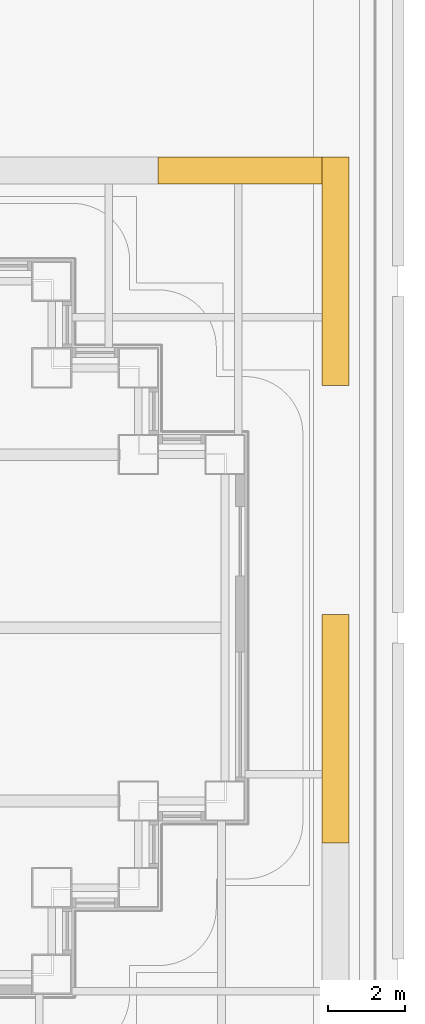
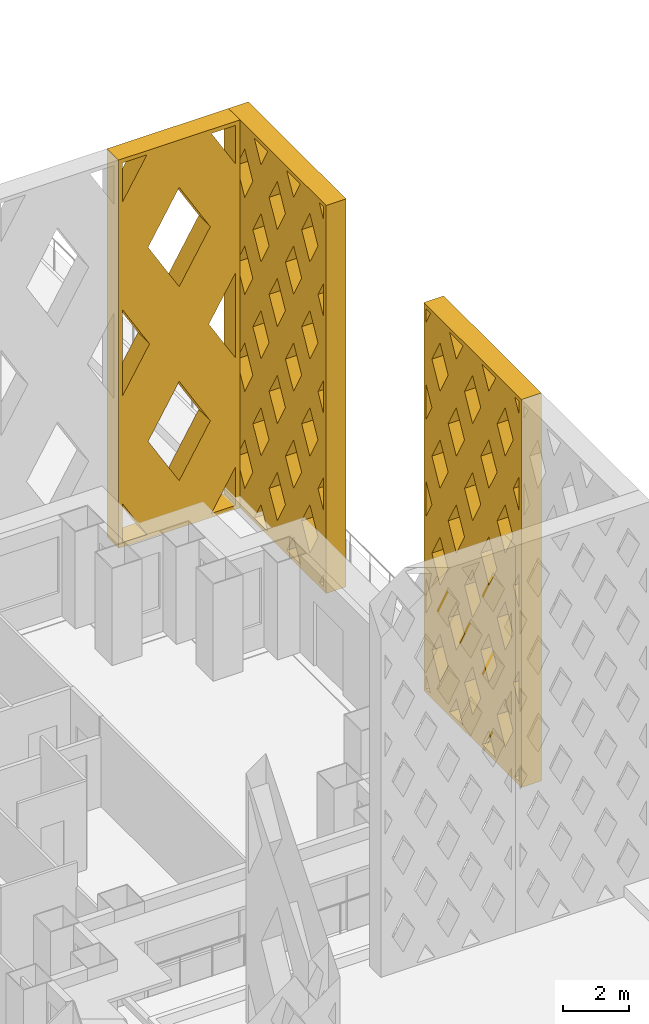
# One storey, part 26 of 26: 3 shading devices.
"""IFC4 building model written with IfcOpenShell, lengths in metres."""

from ifc_helpers import new_model, si_unit, direction, frame, origin, place, context, subcontext, project, spatial, polyline, outline, extrude, material, type_object, element, save


model = new_model("IFC4")

# Units and contexts
model_context = context("Model", 3, precision=1e-05, world=origin(), true_north=direction((0.0, 1.0)))
body_context = subcontext(model_context, "Body", "Model", "MODEL_VIEW")
ifc_project = project(units=[si_unit("LENGTHUNIT", "METRE"), si_unit("AREAUNIT", "SQUARE_METRE"), si_unit("VOLUMEUNIT", "CUBIC_METRE"), si_unit("PLANEANGLEUNIT", "RADIAN"), si_unit("MASSUNIT", "GRAM", prefix="KILO")], contexts=[model_context])

# Site, building, storey
site_placement = place(None, origin())
site = spatial("IfcSite", under=ifc_project, at=site_placement, CompositionType="ELEMENT")
building_placement = place(site_placement, origin())
building = spatial("IfcBuilding", under=site, at=building_placement, Name="Caravel Reach Hotel and Residences", CompositionType="ELEMENT")
storey_placement = place(building_placement, frame((0.0, 0.0, 33.60009765625)))
storey = spatial("IfcBuildingStorey", under=building, at=storey_placement, Name="L06", CompositionType="ELEMENT", Elevation=33.60009765625)

# Shading devices
ifc_material_1 = material(Name="Black powder-coated aluminium", Category="aluminium")
shading_device_type_1 = type_object("IfcShadingDeviceType", Name="Diamond lattice screen panel 4267 x 14400", PredefinedType="USERDEFINED", material=ifc_material_1)
shading_device_1_placement = place(storey_placement, frame((65.52490234375, 38.52490234375, 0.0), z_axis=(0.0, 1.0, 0.0), x_axis=(-1.0, 0.0, 0.0)))
element("IfcShadingDevice", 1, at=shading_device_1_placement, inside=storey, type_object=shading_device_type_1, Name="Lattice screen L06-L09 8.1", ObjectType="SCREEN", PredefinedType="USERDEFINED", context=body_context, shape_type="SweptSolid", body=[
    extrude(outline(polyline([(0.0, 0.0), (4.2666015625, 0.0), (4.2666015625, 14.39990234375), (0.0, 14.39990234375), (0.0, 0.0)]), holes=[polyline([(1.003662109375, 0.14990234375), (0.14990234375, 1.590576171875), (0.14990234375, 0.14990234375), (1.003662109375, 0.14990234375)]), polyline([(1.092529296875, 7.199951171875), (0.14990234375, 8.790771484375), (0.14990234375, 5.609375), (1.092529296875, 7.199951171875)]), polyline([(0.14990234375, 12.809326171875), (1.003662109375, 14.25), (0.14990234375, 14.25), (0.14990234375, 12.809326171875)]), polyline([(2.13330078125, 5.44384765625), (1.040771484375, 3.60009765625), (2.13330078125, 1.756103515625), (3.225830078125, 3.60009765625), (2.13330078125, 5.44384765625)]), polyline([(2.13330078125, 12.643798828125), (1.040771484375, 10.800048828125), (2.13330078125, 8.956298828125), (3.225830078125, 10.800048828125), (2.13330078125, 12.643798828125)]), polyline([(4.11669921875, 1.590576171875), (3.262939453125, 0.14990234375), (4.11669921875, 0.14990234375), (4.11669921875, 1.590576171875)]), polyline([(3.174072265625, 7.199951171875), (4.11669921875, 5.609375), (4.11669921875, 8.790771484375), (3.174072265625, 7.199951171875)]), polyline([(3.262939453125, 14.25), (4.11669921875, 12.809326171875), (4.11669921875, 14.25), (3.262939453125, 14.25)])]), origin(), (0.0, 0.0, 1.0), 0.7001953125),
])
ifc_material_2 = material(Name="Black powder-coated aluminium", Category="aluminium")
shading_device_type_2 = type_object("IfcShadingDeviceType", Name="Diamond lattice screen panel 5937 x 14400", PredefinedType="USERDEFINED", material=ifc_material_2)
shading_device_2_placement = place(storey_placement, frame((65.52490234375, 21.41259765625, 0.0), z_axis=(1.0, 0.0, 0.0), x_axis=(0.0, 1.0, 0.0)))
element("IfcShadingDevice", 2, at=shading_device_2_placement, inside=storey, type_object=shading_device_type_2, Name="Lattice screen L06-L09 7.2", ObjectType="SCREEN", PredefinedType="USERDEFINED", context=body_context, shape_type="SweptSolid", body=[
    extrude(outline(polyline([(0.0, 0.0), (5.9375, 0.0), (5.9375, 14.39990234375), (0.0, 14.39990234375), (0.0, 0.0)]), holes=[polyline([(0.412353515625, 0.14990234375), (0.14990234375, 0.626953125), (0.14990234375, 0.14990234375), (0.412353515625, 0.14990234375)]), polyline([(0.49462890625, 3.60009765625), (0.14990234375, 4.22705078125), (0.14990234375, 2.972900390625), (0.49462890625, 3.60009765625)]), polyline([(0.49462890625, 7.199951171875), (0.14990234375, 7.826904296875), (0.14990234375, 6.572998046875), (0.49462890625, 7.199951171875)]), polyline([(0.49462890625, 10.800048828125), (0.14990234375, 11.427001953125), (0.14990234375, 10.173095703125), (0.49462890625, 10.800048828125)]), polyline([(0.14990234375, 13.77294921875), (0.412353515625, 14.25), (0.14990234375, 14.25), (0.14990234375, 13.77294921875)]), polyline([(0.989501953125, 2.699951171875), (0.494873046875, 1.800048828125), (0.989501953125, 0.900146484375), (1.484375, 1.800048828125), (0.989501953125, 2.699951171875)]), polyline([(0.989501953125, 6.2998046875), (0.494873046875, 5.39990234375), (0.989501953125, 4.500244140625), (1.484375, 5.39990234375), (0.989501953125, 6.2998046875)]), polyline([(0.989501953125, 9.89990234375), (0.494873046875, 9.0), (0.989501953125, 8.10009765625), (1.484375, 9.0), (0.989501953125, 9.89990234375)]), polyline([(0.989501953125, 13.499755859375), (0.494873046875, 12.60009765625), (0.989501953125, 11.7001953125), (1.484375, 12.60009765625), (0.989501953125, 13.499755859375)]), polyline([(1.979248046875, 0.89990234375), (1.56689453125, 0.14990234375), (2.391357421875, 0.14990234375), (1.979248046875, 0.89990234375)]), polyline([(1.979248046875, 4.499755859375), (1.484375, 3.60009765625), (1.979248046875, 2.7001953125), (2.473876953125, 3.60009765625), (1.979248046875, 4.499755859375)]), polyline([(1.979248046875, 8.099853515625), (1.484375, 7.199951171875), (1.979248046875, 6.300048828125), (2.473876953125, 7.199951171875), (1.979248046875, 8.099853515625)]), polyline([(1.979248046875, 11.699951171875), (1.484375, 10.800048828125), (1.979248046875, 9.900146484375), (2.473876953125, 10.800048828125), (1.979248046875, 11.699951171875)]), polyline([(1.979248046875, 13.500244140625), (2.391357421875, 14.25), (1.56689453125, 14.25), (1.979248046875, 13.500244140625)]), polyline([(2.96875, 2.699951171875), (2.47412109375, 1.800048828125), (2.96875, 0.900146484375), (3.46337890625, 1.800048828125), (2.96875, 2.699951171875)]), polyline([(2.96875, 6.2998046875), (2.47412109375, 5.39990234375), (2.96875, 4.500244140625), (3.46337890625, 5.39990234375), (2.96875, 6.2998046875)]), polyline([(2.96875, 9.89990234375), (2.47412109375, 9.0), (2.96875, 8.10009765625), (3.46337890625, 9.0), (2.96875, 9.89990234375)]), polyline([(2.96875, 13.499755859375), (2.47412109375, 12.60009765625), (2.96875, 11.7001953125), (3.46337890625, 12.60009765625), (2.96875, 13.499755859375)]), polyline([(3.958251953125, 0.89990234375), (3.546142578125, 0.14990234375), (4.37060546875, 0.14990234375), (3.958251953125, 0.89990234375)]), polyline([(3.958251953125, 4.499755859375), (3.463623046875, 3.60009765625), (3.958251953125, 2.7001953125), (4.453125, 3.60009765625), (3.958251953125, 4.499755859375)]), polyline([(3.958251953125, 8.099853515625), (3.463623046875, 7.199951171875), (3.958251953125, 6.300048828125), (4.453125, 7.199951171875), (3.958251953125, 8.099853515625)]), polyline([(3.958251953125, 11.699951171875), (3.463623046875, 10.800048828125), (3.958251953125, 9.900146484375), (4.453125, 10.800048828125), (3.958251953125, 11.699951171875)]), polyline([(3.958251953125, 13.500244140625), (4.37060546875, 14.25), (3.546142578125, 14.25), (3.958251953125, 13.500244140625)]), polyline([(4.947998046875, 2.699951171875), (4.453125, 1.800048828125), (4.947998046875, 0.900146484375), (5.442626953125, 1.800048828125), (4.947998046875, 2.699951171875)]), polyline([(4.947998046875, 6.2998046875), (4.453125, 5.39990234375), (4.947998046875, 4.500244140625), (5.442626953125, 5.39990234375), (4.947998046875, 6.2998046875)]), polyline([(4.947998046875, 9.89990234375), (4.453125, 9.0), (4.947998046875, 8.10009765625), (5.442626953125, 9.0), (4.947998046875, 9.89990234375)]), polyline([(4.947998046875, 13.499755859375), (4.453125, 12.60009765625), (4.947998046875, 11.7001953125), (5.442626953125, 12.60009765625), (4.947998046875, 13.499755859375)]), polyline([(5.78759765625, 0.626953125), (5.525146484375, 0.14990234375), (5.78759765625, 0.14990234375), (5.78759765625, 0.626953125)]), polyline([(5.44287109375, 3.60009765625), (5.78759765625, 2.972900390625), (5.78759765625, 4.22705078125), (5.44287109375, 3.60009765625)]), polyline([(5.44287109375, 7.199951171875), (5.78759765625, 6.572998046875), (5.78759765625, 7.826904296875), (5.44287109375, 7.199951171875)]), polyline([(5.44287109375, 10.800048828125), (5.78759765625, 10.173095703125), (5.78759765625, 11.427001953125), (5.44287109375, 10.800048828125)]), polyline([(5.525146484375, 14.25), (5.78759765625, 13.77294921875), (5.78759765625, 14.25), (5.525146484375, 14.25)])]), origin(), (0.0, 0.0, 1.0), 0.7001953125),
])
shading_device_3_placement = place(storey_placement, frame((65.52490234375, 33.28759765625, 0.0), z_axis=(1.0, 0.0, 0.0), x_axis=(0.0, 1.0, 0.0)))
element("IfcShadingDevice", 3, at=shading_device_3_placement, inside=storey, type_object=shading_device_type_2, Name="Lattice screen L06-L09 7.4", ObjectType="SCREEN", PredefinedType="USERDEFINED", context=body_context, shape_type="SweptSolid", body=[
    extrude(outline(polyline([(0.0, 0.0), (5.9375, 0.0), (5.9375, 14.39990234375), (0.0, 14.39990234375), (0.0, 0.0)]), holes=[polyline([(0.412353515625, 0.14990234375), (0.14990234375, 0.626953125), (0.14990234375, 0.14990234375), (0.412353515625, 0.14990234375)]), polyline([(0.49462890625, 3.60009765625), (0.14990234375, 4.22705078125), (0.14990234375, 2.972900390625), (0.49462890625, 3.60009765625)]), polyline([(0.49462890625, 7.199951171875), (0.14990234375, 7.826904296875), (0.14990234375, 6.572998046875), (0.49462890625, 7.199951171875)]), polyline([(0.49462890625, 10.800048828125), (0.14990234375, 11.427001953125), (0.14990234375, 10.173095703125), (0.49462890625, 10.800048828125)]), polyline([(0.14990234375, 13.77294921875), (0.412353515625, 14.25), (0.14990234375, 14.25), (0.14990234375, 13.77294921875)]), polyline([(0.989501953125, 2.699951171875), (0.494873046875, 1.800048828125), (0.989501953125, 0.900146484375), (1.484375, 1.800048828125), (0.989501953125, 2.699951171875)]), polyline([(0.989501953125, 6.2998046875), (0.494873046875, 5.39990234375), (0.989501953125, 4.500244140625), (1.484375, 5.39990234375), (0.989501953125, 6.2998046875)]), polyline([(0.989501953125, 9.89990234375), (0.494873046875, 9.0), (0.989501953125, 8.10009765625), (1.484375, 9.0), (0.989501953125, 9.89990234375)]), polyline([(0.989501953125, 13.499755859375), (0.494873046875, 12.60009765625), (0.989501953125, 11.7001953125), (1.484375, 12.60009765625), (0.989501953125, 13.499755859375)]), polyline([(1.979248046875, 0.89990234375), (1.56689453125, 0.14990234375), (2.391357421875, 0.14990234375), (1.979248046875, 0.89990234375)]), polyline([(1.979248046875, 4.499755859375), (1.484375, 3.60009765625), (1.979248046875, 2.7001953125), (2.473876953125, 3.60009765625), (1.979248046875, 4.499755859375)]), polyline([(1.979248046875, 8.099853515625), (1.484375, 7.199951171875), (1.979248046875, 6.300048828125), (2.473876953125, 7.199951171875), (1.979248046875, 8.099853515625)]), polyline([(1.979248046875, 11.699951171875), (1.484375, 10.800048828125), (1.979248046875, 9.900146484375), (2.473876953125, 10.800048828125), (1.979248046875, 11.699951171875)]), polyline([(1.979248046875, 13.500244140625), (2.391357421875, 14.25), (1.56689453125, 14.25), (1.979248046875, 13.500244140625)]), polyline([(2.96875, 2.699951171875), (2.47412109375, 1.800048828125), (2.96875, 0.900146484375), (3.46337890625, 1.800048828125), (2.96875, 2.699951171875)]), polyline([(2.96875, 6.2998046875), (2.47412109375, 5.39990234375), (2.96875, 4.500244140625), (3.46337890625, 5.39990234375), (2.96875, 6.2998046875)]), polyline([(2.96875, 9.89990234375), (2.47412109375, 9.0), (2.96875, 8.10009765625), (3.46337890625, 9.0), (2.96875, 9.89990234375)]), polyline([(2.96875, 13.499755859375), (2.47412109375, 12.60009765625), (2.96875, 11.7001953125), (3.46337890625, 12.60009765625), (2.96875, 13.499755859375)]), polyline([(3.958251953125, 0.89990234375), (3.546142578125, 0.14990234375), (4.37060546875, 0.14990234375), (3.958251953125, 0.89990234375)]), polyline([(3.958251953125, 4.499755859375), (3.463623046875, 3.60009765625), (3.958251953125, 2.7001953125), (4.453125, 3.60009765625), (3.958251953125, 4.499755859375)]), polyline([(3.958251953125, 8.099853515625), (3.463623046875, 7.199951171875), (3.958251953125, 6.300048828125), (4.453125, 7.199951171875), (3.958251953125, 8.099853515625)]), polyline([(3.958251953125, 11.699951171875), (3.463623046875, 10.800048828125), (3.958251953125, 9.900146484375), (4.453125, 10.800048828125), (3.958251953125, 11.699951171875)]), polyline([(3.958251953125, 13.500244140625), (4.37060546875, 14.25), (3.546142578125, 14.25), (3.958251953125, 13.500244140625)]), polyline([(4.947998046875, 2.699951171875), (4.453125, 1.800048828125), (4.947998046875, 0.900146484375), (5.442626953125, 1.800048828125), (4.947998046875, 2.699951171875)]), polyline([(4.947998046875, 6.2998046875), (4.453125, 5.39990234375), (4.947998046875, 4.500244140625), (5.442626953125, 5.39990234375), (4.947998046875, 6.2998046875)]), polyline([(4.947998046875, 9.89990234375), (4.453125, 9.0), (4.947998046875, 8.10009765625), (5.442626953125, 9.0), (4.947998046875, 9.89990234375)]), polyline([(4.947998046875, 13.499755859375), (4.453125, 12.60009765625), (4.947998046875, 11.7001953125), (5.442626953125, 12.60009765625), (4.947998046875, 13.499755859375)]), polyline([(5.78759765625, 0.626953125), (5.525146484375, 0.14990234375), (5.78759765625, 0.14990234375), (5.78759765625, 0.626953125)]), polyline([(5.44287109375, 3.60009765625), (5.78759765625, 2.972900390625), (5.78759765625, 4.22705078125), (5.44287109375, 3.60009765625)]), polyline([(5.44287109375, 7.199951171875), (5.78759765625, 6.572998046875), (5.78759765625, 7.826904296875), (5.44287109375, 7.199951171875)]), polyline([(5.44287109375, 10.800048828125), (5.78759765625, 10.173095703125), (5.78759765625, 11.427001953125), (5.44287109375, 10.800048828125)]), polyline([(5.525146484375, 14.25), (5.78759765625, 13.77294921875), (5.78759765625, 14.25), (5.525146484375, 14.25)])]), origin(), (0.0, 0.0, 1.0), 0.7001953125),
])

save(model, "model.ifc")
